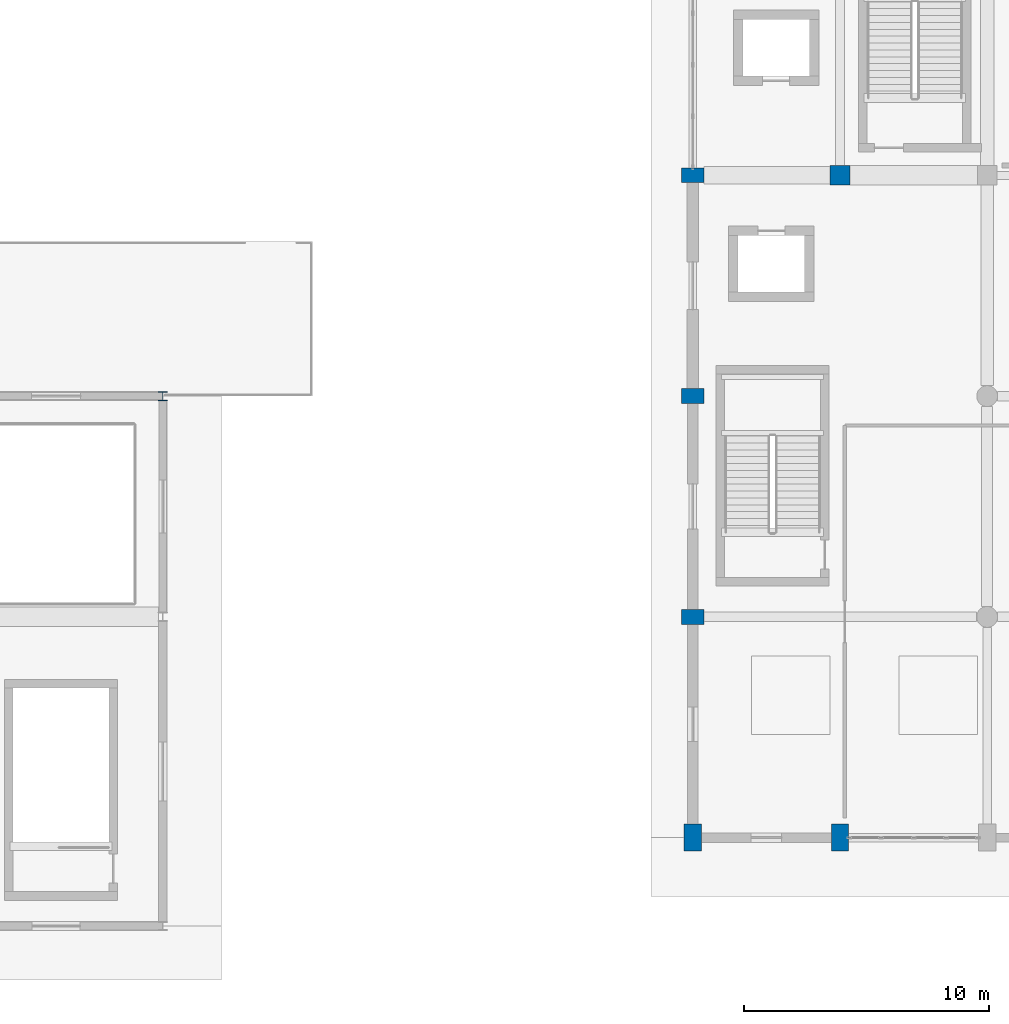
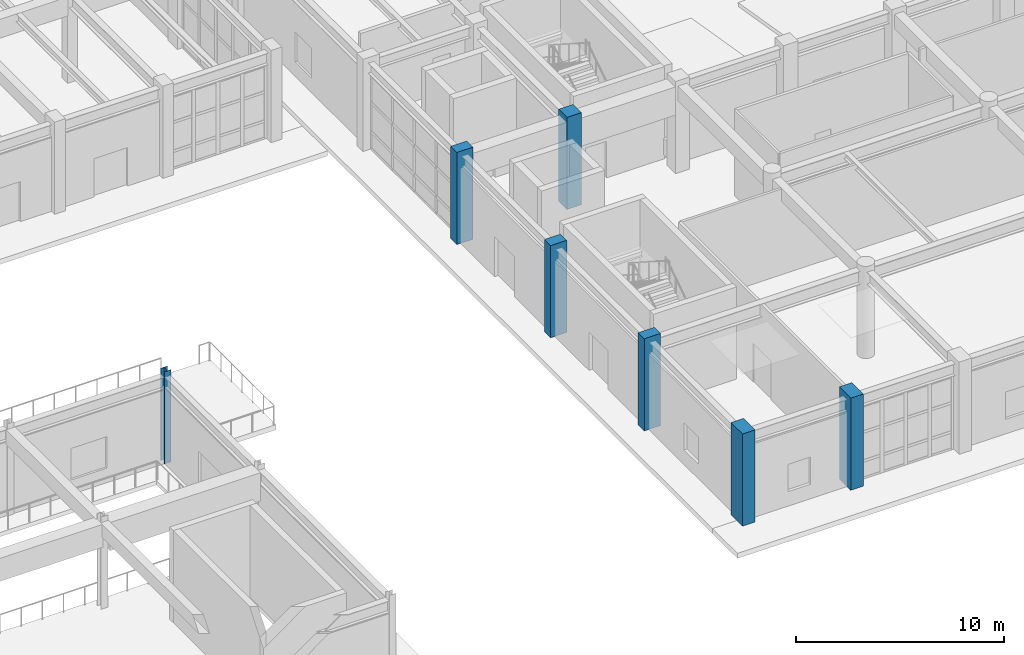
# One storey, part 2 of 91: 7 columns.
"""IFC4 building model written with IfcOpenShell, lengths in metres."""

import ifcopenshell
import ifcopenshell.guid

model = None  # the IFC model being written
_history = None  # IfcOwnerHistory: only IFC2X3 demands one
_inside = {}  # id of a spatial element -> (the spatial element, [elements in it])
_under = {}  # id of a project, library or spatial element -> (it, [spatial elements below it])
_declared = {}  # id of a project -> (the project, [libraries it declares])
_typed = {}  # id of a type object -> (the type object, [elements of that type])
_made_of = {}  # id of a material, layer set ... -> (it, [elements and type objects made of it])


def new_model(schema):
    """Start an empty IFC model of exactly this schema.

    Asked for "IFC4X3", IfcOpenShell would pick the latest addendum, in which some entities
    have other attributes; the version numbers below select the first issue.
    IFC2X3 requires an IfcOwnerHistory on every rooted entity: one is made here for all.
    """
    global model, _history
    if schema == "IFC4X3":
        model = ifcopenshell.file(schema_version=(4, 3, 0, 0))
    else:
        model = ifcopenshell.file(schema=schema)
    _inside.clear()
    _under.clear()
    _declared.clear()
    _typed.clear()
    _made_of.clear()
    _history = None
    if model.schema == "IFC2X3":
        org = make("IfcOrganization", Name="unknown")
        user = make(
            "IfcPersonAndOrganization",
            ThePerson=make("IfcPerson", FamilyName="unknown"),
            TheOrganization=org,
        )
        app = make(
            "IfcApplication",
            ApplicationDeveloper=org,
            Version="unknown",
            ApplicationFullName="unknown",
            ApplicationIdentifier="unknown",
        )
        _history = make(
            "IfcOwnerHistory",
            OwningUser=user,
            OwningApplication=app,
            ChangeAction="ADDED",
            CreationDate=0,
        )
    return model


def make(cls, **values):
    """One entity of the class cls with the attributes given. An attribute that is None is left unset."""
    return model.create_entity(
        cls, **{name: value for name, value in values.items() if value is not None}
    )


def rooted(cls, **values):
    """An entity with a GlobalId (a new one), such as an element, a storey or a relation."""
    return make(cls, GlobalId=ifcopenshell.guid.new(), OwnerHistory=_history, **values)


def si_unit(unit_type, name, prefix=None):
    """IfcSIUnit, for example si_unit("LENGTHUNIT", "METRE", prefix="MILLI")."""
    return make("IfcSIUnit", UnitType=unit_type, Prefix=prefix, Name=name)


def assignment(units):
    """IfcUnitAssignment: the units of a project."""
    return None if units is None else make("IfcUnitAssignment", Units=units)


def point(xyz):
    """IfcCartesianPoint."""
    return None if xyz is None else make("IfcCartesianPoint", Coordinates=xyz)


def direction(xyz):
    """IfcDirection."""
    return None if xyz is None else make("IfcDirection", DirectionRatios=xyz)


def frame(location, z_axis=None, x_axis=None):
    """IfcAxis2Placement3D, a coordinate frame: its origin and axes. An axis left out is left unset."""
    return make(
        "IfcAxis2Placement3D",
        Location=point(location),
        Axis=direction(z_axis),
        RefDirection=direction(x_axis),
    )


def frame_2d(location, x_axis=None):
    """IfcAxis2Placement2D, a coordinate frame in the plane: its origin and x axis."""
    return make(
        "IfcAxis2Placement2D", Location=point(location), RefDirection=direction(x_axis)
    )


def origin():
    """The frame at (0, 0, 0) with its axes left unset."""
    return frame((0.0, 0.0, 0.0))


def origin_2d():
    """The frame at (0, 0) in the plane with its x axis left unset."""
    return frame_2d((0.0, 0.0))


def place(relative_to, where):
    """IfcLocalPlacement: puts the frame where relative to a parent placement (None: the world)."""
    return make(
        "IfcLocalPlacement", PlacementRelTo=relative_to, RelativePlacement=where
    )


def context(
    kind, dimensions, precision=None, world=None, true_north=None, identifier=None
):
    """IfcGeometricRepresentationContext, for example the 3D "Model" context."""
    return make(
        "IfcGeometricRepresentationContext",
        ContextIdentifier=identifier,
        ContextType=kind,
        CoordinateSpaceDimension=dimensions,
        Precision=precision,
        WorldCoordinateSystem=world,
        TrueNorth=true_north,
    )


def subcontext(parent, identifier, kind, view, scale=None):
    """IfcGeometricRepresentationSubContext, for example "Body" below "Model"."""
    return make(
        "IfcGeometricRepresentationSubContext",
        ContextIdentifier=identifier,
        ContextType=kind,
        ParentContext=parent,
        TargetScale=scale,
        TargetView=view,
    )


def project(units=None, contexts=None):
    """IfcProject with its units and contexts."""
    return rooted(
        "IfcProject",
        Name="project",
        RepresentationContexts=contexts,
        UnitsInContext=assignment(units),
    )


def spatial(cls, under=None, at=None, **own):
    """A site, building, storey or space (cls), placed at a placement, below another one or the project."""
    s = rooted(cls, ObjectPlacement=at, **own)
    if under is not None:
        _under.setdefault(under.id(), (under, []))[1].append(s)
    return s


def profile(cls, at=None, kind="AREA", **sizes):
    """A parametric profile (cls). Its sizes go by their IFC names, for example OverallWidth=200.0."""
    return make(cls, ProfileType=kind, Position=at, **sizes)


def rectangle(**sizes):
    """IfcRectangleProfileDef."""
    return profile("IfcRectangleProfileDef", **sizes)


def i_section(**sizes):
    """IfcIShapeProfileDef."""
    return profile("IfcIShapeProfileDef", **sizes)


def extrude(swept, where, along, depth):
    """IfcExtrudedAreaSolid: the profile swept, set in the frame where, extruded along a direction by depth."""
    return make(
        "IfcExtrudedAreaSolid",
        SweptArea=swept,
        Position=where,
        ExtrudedDirection=direction(along),
        Depth=depth,
    )


def shape(context_of_items, identifier, shape_type, items):
    """IfcShapeRepresentation: the items that make up one representation, for example the "Body"."""
    return make(
        "IfcShapeRepresentation",
        ContextOfItems=context_of_items,
        RepresentationIdentifier=identifier,
        RepresentationType=shape_type,
        Items=items,
    )


def material(Name=None, Category=None):
    """IfcMaterial."""
    return make("IfcMaterial", Name=Name, Category=Category)


def material_profile(
    of_material, cross_section, Name=None, Category=None, Priority=None
):
    """IfcMaterialProfile: a cross section and its material."""
    return make(
        "IfcMaterialProfile",
        Name=Name,
        Material=of_material,
        Profile=cross_section,
        Priority=Priority,
        Category=Category,
    )


def profile_set(profiles, Name=None, composite=None):
    """IfcMaterialProfileSet."""
    return make(
        "IfcMaterialProfileSet",
        Name=Name,
        MaterialProfiles=profiles,
        CompositeProfile=composite,
    )


def made_of(thing, what):
    """Note that an element or type object is made of a material, layer set ...; save() writes the relation."""
    if what is not None:
        _made_of.setdefault(what.id(), (what, []))[1].append(thing)
    return thing


def type_object(cls, material=None, **own):
    """A type object (cls), such as IfcWallType, which elements share."""
    return made_of(rooted(cls, **own), material)


def element(
    cls,
    number,
    at=None,
    inside=None,
    cuts=None,
    type_object=None,
    material=None,
    context=None,
    identifier="Body",
    shape_type=None,
    held_by="IfcProductDefinitionShape",
    body=None,
    shapes=None,
    **own,
):
    """One element of the class cls, such as IfcWall. Its Tag is "e" and its number.

    at: its placement. inside: the storey or other place that contains it. cuts: it is an
    opening in that element (IfcRelVoidsElement). A single representation is given by context,
    identifier, shape_type and body (its items); several are given by shapes. held_by: the class
    of the entity that holds the representations. save() writes the other relations.
    """
    e = rooted(cls, Tag="e%d" % number, ObjectPlacement=at, **own)
    if body is not None:
        shapes = [shape(context, identifier, shape_type, body)]
    if shapes is not None:
        e.Representation = make(held_by, Representations=shapes)
    if inside is not None:
        _inside.setdefault(inside.id(), (inside, []))[1].append(e)
    if cuts is not None:
        rooted(
            "IfcRelVoidsElement", RelatingBuildingElement=cuts, RelatedOpeningElement=e
        )
    if type_object is not None:
        _typed.setdefault(type_object.id(), (type_object, []))[1].append(e)
    return made_of(e, material)


def aggregate(whole, parts):
    """IfcRelAggregates: a whole, such as a stair, and the parts it consists of."""
    return rooted("IfcRelAggregates", RelatingObject=whole, RelatedObjects=parts)


def save(model, path):
    """Write the relations noted so far, then the file.

    IfcRelAggregates (storeys below a building ...), IfcRelContainedInSpatialStructure (elements
    in a storey), IfcRelDefinesByType, IfcRelAssociatesMaterial and IfcRelDeclares: one each for
    every whole, place, type object, material and project.
    """
    for whole, parts in _under.values():
        aggregate(whole, parts)
    for where, things in _inside.values():
        rooted(
            "IfcRelContainedInSpatialStructure",
            RelatedElements=things,
            RelatingStructure=where,
        )
    for kind, things in _typed.values():
        rooted("IfcRelDefinesByType", RelatedObjects=things, RelatingType=kind)
    for what, things in _made_of.values():
        rooted("IfcRelAssociatesMaterial", RelatedObjects=things, RelatingMaterial=what)
    for by, libraries in _declared.values():
        rooted("IfcRelDeclares", RelatingContext=by, RelatedDefinitions=libraries)
    model.write(path)


model = new_model("IFC4")

# Units and contexts
model_context = context("Model", 3, precision=1e-05, world=origin(), true_north=direction((0.0, 1.0)))
body_context = subcontext(model_context, "Body", "Model", "MODEL_VIEW")
ifc_project = project(units=[si_unit("LENGTHUNIT", "METRE"), si_unit("AREAUNIT", "SQUARE_METRE"), si_unit("VOLUMEUNIT", "CUBIC_METRE"), si_unit("PLANEANGLEUNIT", "RADIAN"), si_unit("MASSUNIT", "GRAM", prefix="KILO")], contexts=[model_context])

# Site, building, storey
site_placement = place(None, origin())
site = spatial("IfcSite", under=ifc_project, at=site_placement, CompositionType="ELEMENT")
building_placement = place(site_placement, origin())
building = spatial("IfcBuilding", under=site, at=building_placement, Name="Vaelkrest Opera House", CompositionType="ELEMENT")
storey_placement = place(building_placement, origin())
storey = spatial("IfcBuildingStorey", under=building, at=storey_placement, Name="L00", CompositionType="ELEMENT", Elevation=0.0)

# Columns
ifc_material_1 = material(Name="Concrete C50/60", Category="concrete")
ifc_material_profile_1 = material_profile(ifc_material_1, rectangle(XDim=0.800048828125, YDim=0.800048828125, at=origin_2d()), Name="RC800X800")
ifc_profile_set_1 = profile_set([ifc_material_profile_1], Name="Concrete C50/60")
column_type_1 = type_object("IfcColumnType", Name="C04", PredefinedType="COLUMN", material=ifc_profile_set_1)
column_1_placement = place(storey_placement, frame((-24.0, -28.800048828125, 0.0), z_axis=(0.0, 0.0, 1.0), x_axis=(1.0, 0.0, 0.0)))
element("IfcColumn", 1, at=column_1_placement, inside=storey, type_object=column_type_1, Name="Column COL-V1-L00-0080", PredefinedType="COLUMN", context=body_context, shape_type="SweptSolid", body=[
    extrude(rectangle(XDim=0.800048828125, YDim=0.800048828125, at=origin_2d()), origin(), (0.0, 0.0, 1.0), 5.39990234375),
])
ifc_material_profile_2 = material_profile(ifc_material_1, rectangle(XDim=0.60009765625, YDim=0.89990234375, at=origin_2d()), Name="RC600X900")
ifc_profile_set_2 = profile_set([ifc_material_profile_2], Name="Concrete C50/60")
column_type_2 = type_object("IfcColumnType", Name="C06", PredefinedType="COLUMN", material=ifc_profile_set_2)
for number, where, z_axis, x_axis, name in (
    (2, (-30.0, -46.800048828125, 0.0), (0.0, 0.0, 1.0), (0.0, 1.0, 0.0), "Column COL-V1-L00-0071"),
    (3, (-30.0, -37.800048828125, 0.0), (0.0, 0.0, 1.0), (0.0, 1.0, 0.0), "Column COL-V1-L00-0072"),
    (4, (-30.0, -28.800048828125, 0.0), (0.0, 0.0, 1.0), (0.0, 1.0, 0.0), "Column COL-V1-L00-0073"),
):
    element("IfcColumn", number, at=place(storey_placement, frame(where, z_axis=z_axis, x_axis=x_axis)), inside=storey, type_object=column_type_2, Name=name, PredefinedType="COLUMN", context=body_context, shape_type="SweptSolid", body=[
        extrude(rectangle(XDim=0.60009765625, YDim=0.89990234375, at=origin_2d()), origin(), (0.0, 0.0, 1.0), 5.39990234375),
    ])
ifc_material_profile_3 = material_profile(ifc_material_1, rectangle(XDim=0.699951171875, YDim=1.10009765625, at=origin_2d()), Name="RC700X1100")
ifc_profile_set_3 = profile_set([ifc_material_profile_3], Name="Concrete C50/60")
column_type_3 = type_object("IfcColumnType", Name="C07", PredefinedType="COLUMN", material=ifc_profile_set_3)
for number, where, z_axis, x_axis, name in (
    (5, (-30.0, -55.800048828125, 0.0), (0.0, 0.0, 1.0), (1.0, 0.0, 0.0), "Column COL-V1-L00-0070"),
    (6, (-24.0, -55.800048828125, 0.0), (0.0, 0.0, 1.0), (1.0, 0.0, 0.0), "Column COL-V1-L00-0079"),
):
    element("IfcColumn", number, at=place(storey_placement, frame(where, z_axis=z_axis, x_axis=x_axis)), inside=storey, type_object=column_type_3, Name=name, PredefinedType="COLUMN", context=body_context, shape_type="SweptSolid", body=[
        extrude(rectangle(XDim=0.699951171875, YDim=1.10009765625, at=origin_2d()), origin(), (0.0, 0.0, 1.0), 5.39990234375),
    ])
ifc_material_2 = material(Name="Steel A992 Gr50", Category="steel")
ifc_material_profile_4 = material_profile(ifc_material_2, i_section(OverallWidth=0.3701171875, OverallDepth=0.360107421875, WebThickness=0.01220703125, FlangeThickness=0.019775390625, at=origin_2d()), Name="W14X99")
ifc_profile_set_4 = profile_set([ifc_material_profile_4], Name="Steel A992 Gr50")
column_type_4 = type_object("IfcColumnType", Name="C15", PredefinedType="COLUMN", material=ifc_profile_set_4)
column_2_placement = place(storey_placement, frame((-51.60009765625, -37.800048828125, 0.0), z_axis=(0.0, 0.0, 1.0), x_axis=(1.0, 0.0, 0.0)))
element("IfcColumn", 7, at=column_2_placement, inside=storey, type_object=column_type_4, Name="Column COL-V5-L00-1442", PredefinedType="COLUMN", context=body_context, shape_type="SweptSolid", body=[
    extrude(i_section(OverallWidth=0.3701171875, OverallDepth=0.360107421875, WebThickness=0.01220703125, FlangeThickness=0.019775390625, at=origin_2d()), origin(), (0.0, 0.0, 1.0), 5.39990234375),
])

save(model, "model.ifc")
